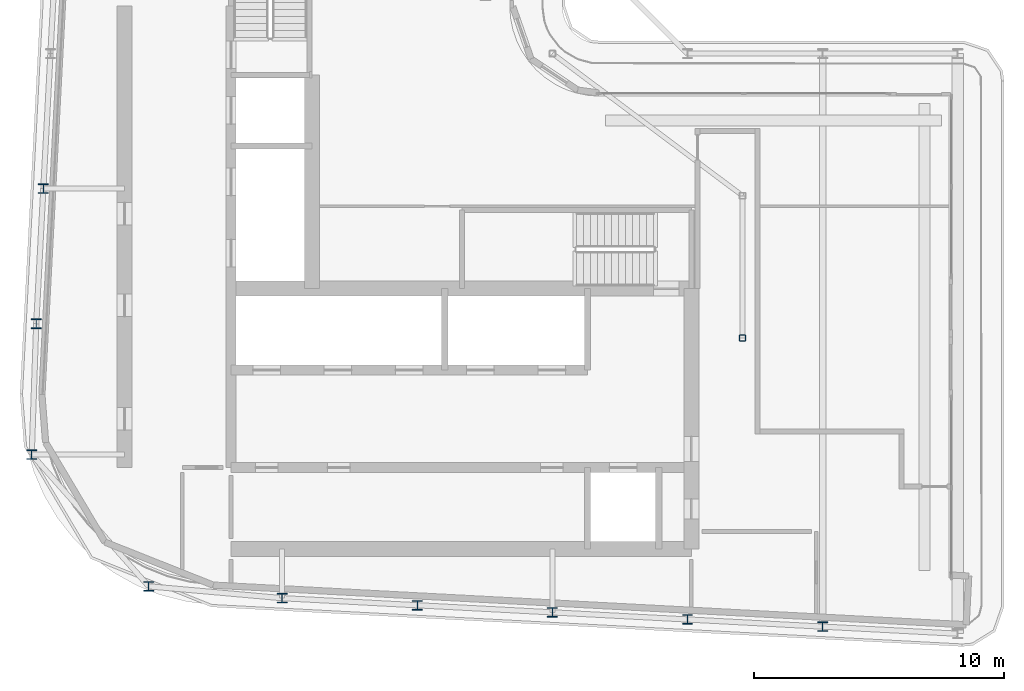
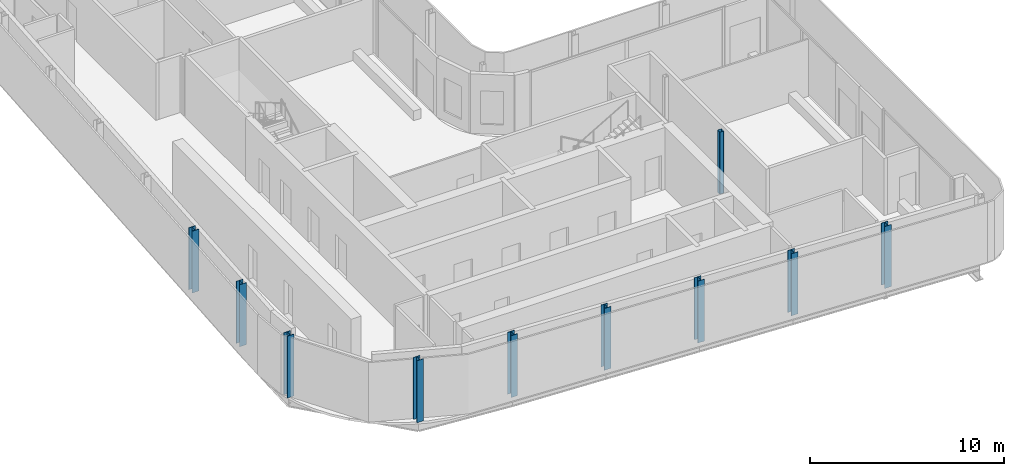
# One storey, part 1 of 21: 10 columns.
"""IFC4 building model written with IfcOpenShell, lengths in metres."""

from ifc_helpers import new_model, si_unit, direction, frame, origin, origin_2d, place, context, subcontext, project, spatial, hollow_rectangle, i_section, extrude, material, material_profile, profile_set, type_object, element, save


model = new_model("IFC4")

# Units and contexts
model_context = context("Model", 3, precision=1e-05, world=origin(), true_north=direction((0.0, 1.0)))
body_context = subcontext(model_context, "Body", "Model", "MODEL_VIEW")
ifc_project = project(units=[si_unit("LENGTHUNIT", "METRE"), si_unit("AREAUNIT", "SQUARE_METRE"), si_unit("VOLUMEUNIT", "CUBIC_METRE"), si_unit("PLANEANGLEUNIT", "RADIAN"), si_unit("MASSUNIT", "GRAM", prefix="KILO")], contexts=[model_context])

# Site, building, storey
site_placement = place(None, origin())
site = spatial("IfcSite", under=ifc_project, at=site_placement, CompositionType="ELEMENT")
building_placement = place(site_placement, origin())
building = spatial("IfcBuilding", under=site, at=building_placement, Name="Kheshtan School and Residences Tower", CompositionType="ELEMENT")
storey_placement = place(building_placement, frame((0.0, 0.0, 282.5)))
storey = spatial("IfcBuildingStorey", under=building, at=storey_placement, Name="L66", CompositionType="ELEMENT", Elevation=282.5)

# Columns
ifc_material_1 = material(Name="Steel ASTM A992 Grade 50", Category="steel")
ifc_material_profile_1 = material_profile(ifc_material_1, i_section(OverallWidth=0.39501953125, OverallDepth=0.3798828125, WebThickness=0.018798828125, FlangeThickness=0.0302734375, FilletRadius=0.011474609375, at=origin_2d()), Name="W360x237")
ifc_profile_set_1 = profile_set([ifc_material_profile_1], Name="Steel ASTM A992 Grade 50")
column_type_1 = type_object("IfcColumnType", Name="Column C5 W360x237 ASTM A992 Grade 50", PredefinedType="COLUMN", material=ifc_profile_set_1)
for number, where, z_axis, x_axis, name in (
    (1, (58.39990234375, 22.695068359375, 0.0), (0.0, 0.0, 1.0), (1.0, 0.0, 0.0), "Column C018"),
    (2, (53.0, 22.97998046875, 0.0), (0.0, 0.0, 1.0), (1.0, 0.0, 0.0), "Column C019"),
    (3, (47.60009765625, 23.263916015625, 0.0), (0.0, 0.0, 1.0), (1.0, 0.0, 0.0), "Column C020"),
    (4, (42.199951171875, 23.548095703125, 0.0), (0.0, 0.0, 1.0), (1.0, 0.0, 0.0), "Column C021"),
    (5, (36.800048828125, 23.83203125, 0.0), (0.0, 0.0, 1.0), (1.0, 0.0, 0.0), "Column C022"),
    (6, (31.465087890625, 24.304931640625, 0.0), (0.0, 0.0, 1.0), (1.0, 0.0, 0.0), "Column C122"),
    (7, (26.7880859375, 29.571044921875, 0.0), (0.0, 0.0, 1.0), (1.0, 0.0, 0.0), "Column C123"),
    (8, (26.968994140625, 34.800048828125, 0.0), (0.0, 0.0, 1.0), (1.0, 0.0, 0.0), "Column C052"),
    (9, (27.2529296875, 40.199951171875, 0.0), (0.0, 0.0, 1.0), (1.0, 0.0, 0.0), "Column C056"),
):
    element("IfcColumn", number, at=place(storey_placement, frame(where, z_axis=z_axis, x_axis=x_axis)), inside=storey, type_object=column_type_1, Name=name, PredefinedType="COLUMN", context=body_context, shape_type="SweptSolid", body=[
        extrude(i_section(OverallWidth=0.39501953125, OverallDepth=0.3798828125, WebThickness=0.018798828125, FlangeThickness=0.0302734375, FilletRadius=0.011474609375, at=origin_2d()), origin(), (0.0, 0.0, 1.0), 3.89990234375),
    ])
ifc_material_2 = material(Name="Steel ASTM A500 Grade C", Category="steel")
ifc_material_profile_2 = material_profile(ifc_material_2, hollow_rectangle(XDim=0.25390625, YDim=0.25390625, WallThickness=0.0126953125, InnerFilletRadius=0.0126953125, OuterFilletRadius=0.025390625, at=origin_2d()), Name="HSS 254x254x12.7")
ifc_profile_set_2 = profile_set([ifc_material_profile_2], Name="Steel ASTM A500 Grade C")
column_type_2 = type_object("IfcColumnType", Name="Column IC3 HSS 254x254x12.7 ASTM A500 Grade C", PredefinedType="COLUMN", material=ifc_profile_set_2)
column_placement = place(storey_placement, frame((55.199951171875, 34.23193359375, 0.0), z_axis=(0.0, 0.0, 1.0), x_axis=(1.0, 0.0, 0.0)))
element("IfcColumn", 10, at=column_placement, inside=storey, type_object=column_type_2, Name="Column C051", PredefinedType="COLUMN", context=body_context, shape_type="SweptSolid", body=[
    extrude(hollow_rectangle(XDim=0.25390625, YDim=0.25390625, WallThickness=0.0126953125, InnerFilletRadius=0.0126953125, OuterFilletRadius=0.025390625, at=origin_2d()), origin(), (0.0, 0.0, 1.0), 3.89990234375),
])

save(model, "model.ifc")
